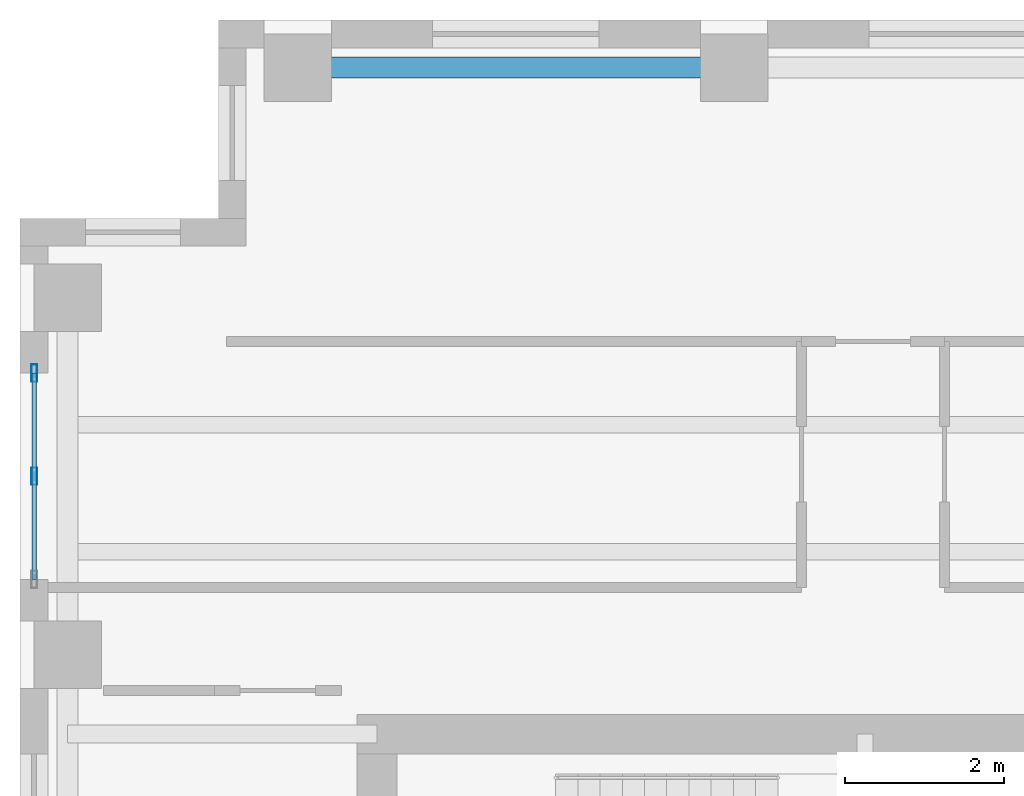
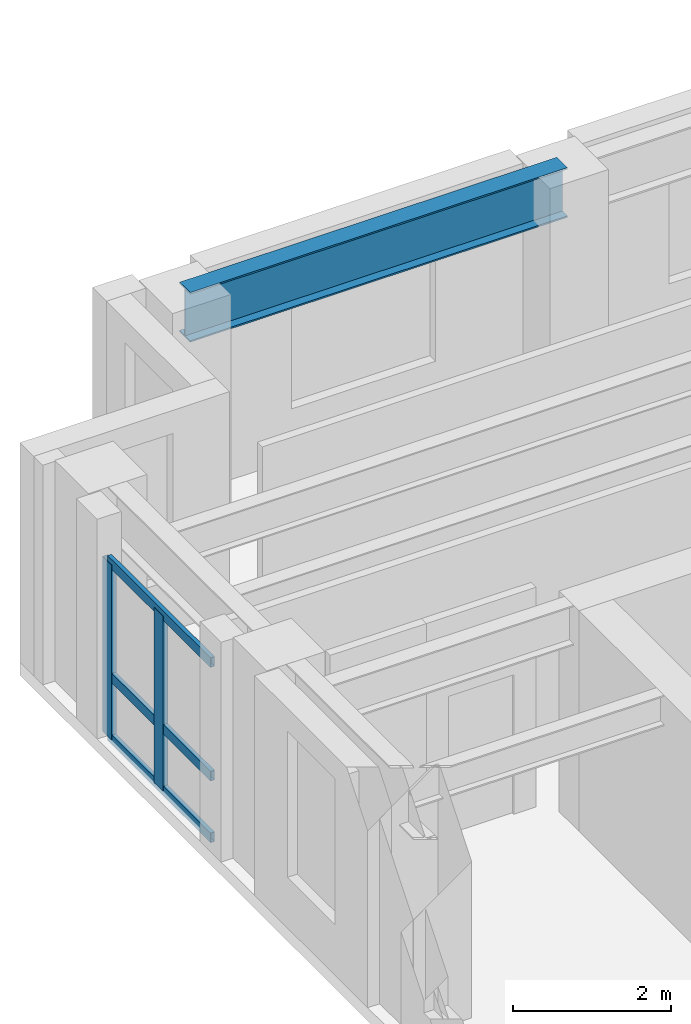
# One storey, part 4 of 12: 5 members, 1 beam, 1 element without a shape of its own.
"""IFC4 building model written with IfcOpenShell, lengths in metres."""

from ifc_helpers import new_model, si_unit, direction, frame, origin, origin_2d, place, context, subcontext, project, spatial, hollow_rectangle, i_section, extrude, source, transform, mapped, material, layer, layer_set, material_profile, profile_set, type_object, element, aggregate, save


model = new_model("IFC4")

# Units and contexts
model_context = context("Model", 3, precision=1e-05, world=origin(), true_north=direction((0.0, 1.0)))
body_context = subcontext(model_context, "Body", "Model", "MODEL_VIEW")
ifc_project = project(units=[si_unit("LENGTHUNIT", "METRE"), si_unit("AREAUNIT", "SQUARE_METRE"), si_unit("VOLUMEUNIT", "CUBIC_METRE"), si_unit("PLANEANGLEUNIT", "RADIAN"), si_unit("MASSUNIT", "GRAM", prefix="KILO")], contexts=[model_context])

# Site, building, storey
site_placement = place(None, origin())
site = spatial("IfcSite", under=ifc_project, at=site_placement, CompositionType="ELEMENT")
building_placement = place(site_placement, origin())
building = spatial("IfcBuilding", under=site, at=building_placement, Name="Kharzan Plaza Tower", CompositionType="ELEMENT")
storey_placement = place(building_placement, frame((0.0, 0.0, 248.39990234375)))
storey = spatial("IfcBuildingStorey", under=building, at=storey_placement, Name="L67", CompositionType="ELEMENT", Elevation=248.39990234375)

# Curtain wall, members
ifc_material_1 = material(Name="Unitised Bronze-Anodized Aluminium and Low-E Glass", Category="aluminium")
ifc_layer = layer(ifc_material_1, 0.199951171875)
ifc_layer_set = layer_set([ifc_layer], Name="Unitised Bronze-Anodized Aluminium and Low-E Glass")
curtain_wall_type = type_object("IfcCurtainWallType", Name="CW-EXEC-5", PredefinedType="NOTDEFINED", material=ifc_layer_set)
curtain_wall_placement = place(storey_placement, origin())
curtain_wall = element("IfcCurtainWall", 1, at=curtain_wall_placement, inside=storey, type_object=curtain_wall_type, Name="L67 Upper Executive Setback Panoramic Curtain Wall", PredefinedType="NOTDEFINED")
ifc_material_2 = material(Name="Anodized Bronze Aluminium", Category="aluminium")
ifc_material_profile_1 = material_profile(ifc_material_2, hollow_rectangle(XDim=0.074951171875, YDim=0.219970703125, WallThickness=0.00390625, at=origin_2d()), Name="ALU-M220x75x4")
ifc_profile_set_1 = profile_set([ifc_material_profile_1], Name="Anodized Bronze Aluminium")
member_type_1 = type_object("IfcMemberType", Name="MEM-CW-MUL200", PredefinedType="MULLION", material=ifc_profile_set_1)
shared_shape_1 = source(origin(), body_context, "Body", "SweptSolid", [
    extrude(hollow_rectangle(XDim=0.074951171875, YDim=0.219970703125, WallThickness=0.00390625, at=origin_2d()), origin(), (0.0, 0.0, 1.0), 2.7001953125),
])
member_1_placement = place(storey_placement, frame((0.179931640625, 32.75, 0.0), z_axis=(0.0, 0.0, 1.0), x_axis=(1.0, 0.0, 0.0)))
member_1 = element("IfcMember", 2, at=member_1_placement, type_object=member_type_1, Name="L67 Curtain-Wall Mullion 01", PredefinedType="MULLION", context=body_context, shape_type="MappedRepresentation", body=[
    mapped(shared_shape_1, transform((0.0, 0.0, 0.0), x_axis=(1.0, 0.0, 0.0), y_axis=(0.0, 1.0, 0.0), z_axis=(0.0, 0.0, 1.0))),
])
member_2_placement = place(storey_placement, frame((0.179931640625, 34.050048828125, 0.0), z_axis=(0.0, 0.0, 1.0), x_axis=(1.0, 0.0, 0.0)))
member_2 = element("IfcMember", 3, at=member_2_placement, type_object=member_type_1, Name="L67 Curtain-Wall Mullion 02", PredefinedType="MULLION", context=body_context, shape_type="MappedRepresentation", body=[
    mapped(shared_shape_1, transform((0.0, 0.0, 0.0), x_axis=(1.0, 0.0, 0.0), y_axis=(0.0, 1.0, 0.0), z_axis=(0.0, 0.0, 1.0))),
])

# Beam
ifc_material_3 = material(Name="Steel S355", Category="steel")
ifc_material_profile_2 = material_profile(ifc_material_3, i_section(OverallWidth=0.26708984375, OverallDepth=0.76611328125, WebThickness=0.014892578125, FlangeThickness=0.023681640625, at=origin_2d()), Name="W760x185")
ifc_profile_set_2 = profile_set([ifc_material_profile_2], Name="Steel S355")
beam_type = type_object("IfcBeamType", Name="BM-SP760B", PredefinedType="SPANDREL", material=ifc_profile_set_2)
shared_shape_2 = source(origin(), body_context, "Body", "SweptSolid", [
    extrude(i_section(OverallWidth=0.26708984375, OverallDepth=0.76611328125, WebThickness=0.014892578125, FlangeThickness=0.023681640625, at=origin_2d()), origin(), (0.0, 0.0, 1.0), 5.5),
])
beam_placement = place(storey_placement, frame((3.5, 37.89990234375, 3.01708984375), z_axis=(1.0, 0.0, 0.0), x_axis=(0.0, 1.0, 0.0)))
element("IfcBeam", 4, at=beam_placement, inside=storey, type_object=beam_type, Name="L67 Perimeter Tube Spandrel", PredefinedType="SPANDREL", context=body_context, shape_type="MappedRepresentation", body=[
    mapped(shared_shape_2, transform((0.0, 0.0, 0.0), x_axis=(1.0, 0.0, 0.0), y_axis=(0.0, 1.0, 0.0), z_axis=(0.0, 0.0, 1.0))),
])

# Member
ifc_material_profile_3 = material_profile(ifc_material_2, hollow_rectangle(XDim=0.06005859375, YDim=0.14990234375, WallThickness=0.00341796875, at=origin_2d()), Name="ALU-T150x60x3.5")
ifc_profile_set_3 = profile_set([ifc_material_profile_3], Name="Anodized Bronze Aluminium")
member_type_2 = type_object("IfcMemberType", Name="MEM-CW-TRN150", PredefinedType="USERDEFINED", material=ifc_profile_set_3)
shared_shape_3 = source(origin(), body_context, "Body", "SweptSolid", [
    extrude(hollow_rectangle(XDim=0.06005859375, YDim=0.14990234375, WallThickness=0.00341796875, at=origin_2d()), origin(), (0.0, 0.0, 1.0), 2.60009765625),
])
member_3_placement = place(storey_placement, frame((0.179931640625, 31.449951171875, 0.0), z_axis=(0.0, 1.0, 0.0), x_axis=(-1.0, 0.0, 0.0)))
member_3 = element("IfcMember", 5, at=member_3_placement, type_object=member_type_2, Name="L67 Curtain-Wall Transom 1", ObjectType="TRANSOM", PredefinedType="USERDEFINED", context=body_context, shape_type="MappedRepresentation", body=[
    mapped(shared_shape_3, transform((0.0, 0.0, 0.0), x_axis=(1.0, 0.0, 0.0), y_axis=(0.0, 1.0, 0.0), z_axis=(0.0, 0.0, 1.0))),
])

member_4_placement = place(storey_placement, frame((0.179931640625, 31.449951171875, 0.9501953125), z_axis=(0.0, 1.0, 0.0), x_axis=(-1.0, 0.0, 0.0)))
member_4 = element("IfcMember", 6, at=member_4_placement, type_object=member_type_2, Name="L67 Curtain-Wall Transom 2", ObjectType="TRANSOM", PredefinedType="USERDEFINED", context=body_context, shape_type="MappedRepresentation", body=[
    mapped(shared_shape_3, transform((0.0, 0.0, 0.0), x_axis=(1.0, 0.0, 0.0), y_axis=(0.0, 1.0, 0.0), z_axis=(0.0, 0.0, 1.0))),
])

member_5_placement = place(storey_placement, frame((0.179931640625, 31.449951171875, 2.7001953125), z_axis=(0.0, 1.0, 0.0), x_axis=(-1.0, 0.0, 0.0)))
member_5 = element("IfcMember", 7, at=member_5_placement, type_object=member_type_2, Name="L67 Curtain-Wall Transom 3", ObjectType="TRANSOM", PredefinedType="USERDEFINED", context=body_context, shape_type="MappedRepresentation", body=[
    mapped(shared_shape_3, transform((0.0, 0.0, 0.0), x_axis=(1.0, 0.0, 0.0), y_axis=(0.0, 1.0, 0.0), z_axis=(0.0, 0.0, 1.0))),
])

aggregate(curtain_wall, [member_1, member_2, member_3, member_4, member_5])

save(model, "model.ifc")
